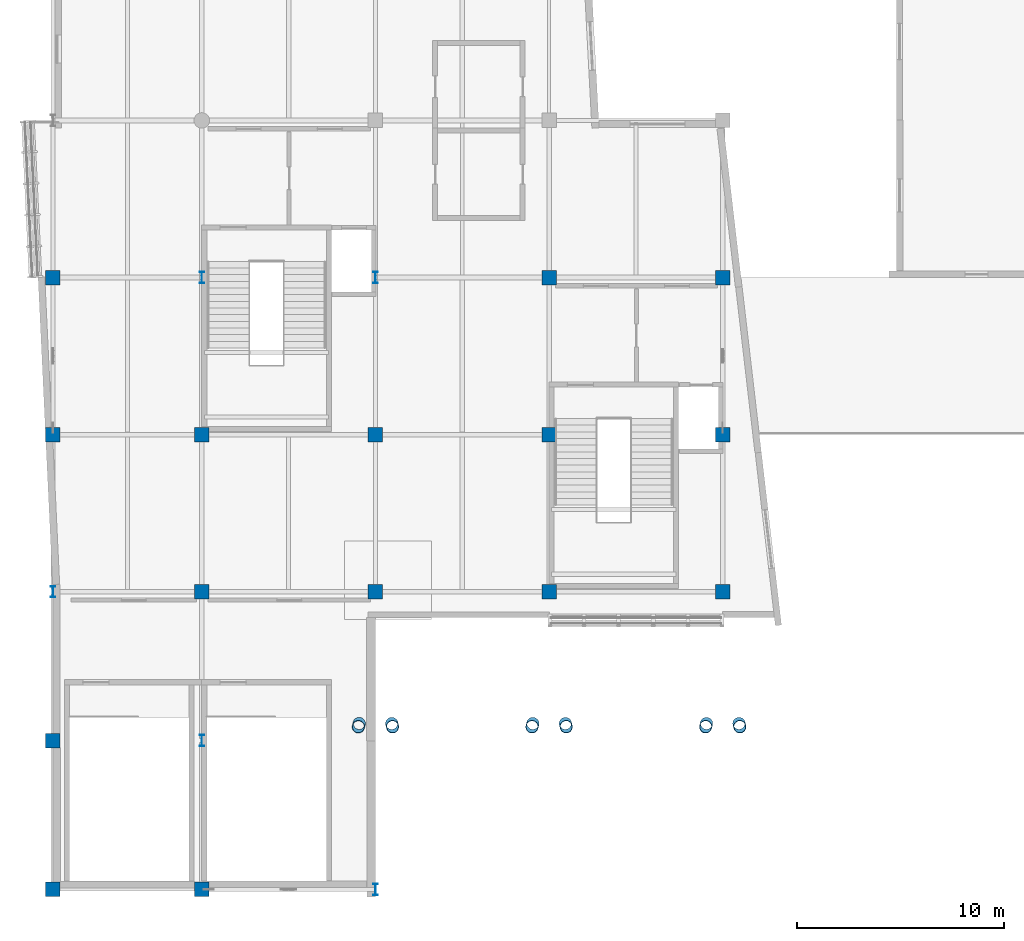
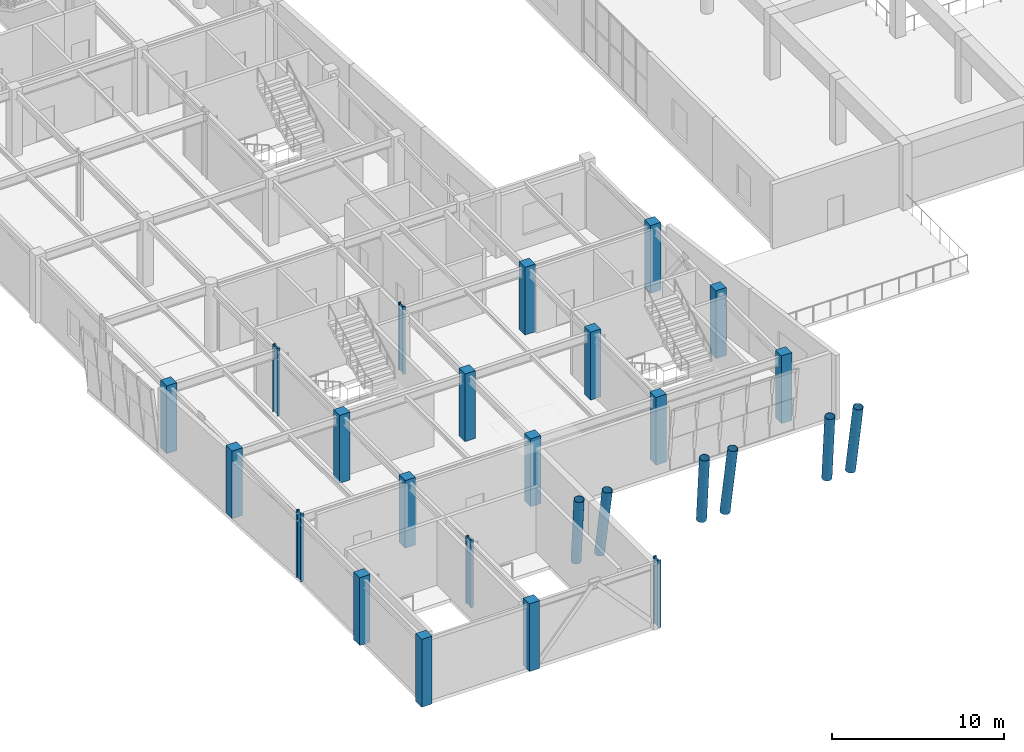
# One storey, part 1 of 72: 26 columns.
"""IFC4 building model written with IfcOpenShell, lengths in metres."""

from ifc_helpers import new_model, si_unit, direction, frame, origin, origin_2d, place, context, subcontext, project, spatial, rectangle, hollow_circle, i_section, extrude, material, material_profile, profile_set, type_object, element, save


model = new_model("IFC4")

# Units and contexts
model_context = context("Model", 3, precision=1e-05, world=origin(), true_north=direction((0.0, 1.0)))
body_context = subcontext(model_context, "Body", "Model", "MODEL_VIEW")
ifc_project = project(units=[si_unit("LENGTHUNIT", "METRE"), si_unit("AREAUNIT", "SQUARE_METRE"), si_unit("VOLUMEUNIT", "CUBIC_METRE"), si_unit("PLANEANGLEUNIT", "RADIAN"), si_unit("MASSUNIT", "GRAM", prefix="KILO")], contexts=[model_context])

# Site, building, storey
site_placement = place(None, origin())
site = spatial("IfcSite", under=ifc_project, at=site_placement, CompositionType="ELEMENT")
building_placement = place(site_placement, origin())
building = spatial("IfcBuilding", under=site, at=building_placement, Name="Xicomal Pleat Aquarium", CompositionType="ELEMENT")
storey_placement = place(building_placement, frame((0.0, 0.0, 10.5)))
storey = spatial("IfcBuildingStorey", under=building, at=storey_placement, Name="L03", CompositionType="ELEMENT", Elevation=10.5)

# Columns
ifc_material_1 = material(Name="Concrete C40/50", Category="concrete")
ifc_material_profile_1 = material_profile(ifc_material_1, rectangle(XDim=0.699951171875, YDim=0.699951171875, at=origin_2d()), Name="RC 700x700")
ifc_profile_set_1 = profile_set([ifc_material_profile_1], Name="Concrete C40/50")
column_type_1 = type_object("IfcColumnType", Name="COL-RC-700x700", PredefinedType="COLUMN", material=ifc_profile_set_1)
for number, where, z_axis, x_axis, name in (
    (1, (3.0, 0.800048828125, 0.0), (0.0, 0.0, 1.0), (1.0, 0.0, 0.0), "L03 column 01/A"),
    (2, (3.0, 8.0, 0.0), (0.0, 0.0, 1.0), (1.0, 0.0, 0.0), "L03 column 01/B"),
    (3, (3.0, 22.800048828125, 0.0), (0.0, 0.0, 1.0), (1.0, 0.0, 0.0), "L03 column 01/D"),
    (4, (3.0, 30.39990234375, 0.0), (0.0, 0.0, 1.0), (1.0, 0.0, 0.0), "L03 column 01/E"),
    (5, (10.199951171875, 0.800048828125, 0.0), (0.0, 0.0, 1.0), (1.0, 0.0, 0.0), "L03 column 02/A"),
    (6, (10.199951171875, 15.199951171875, 0.0), (0.0, 0.0, 1.0), (1.0, 0.0, 0.0), "L03 column 02/C"),
    (7, (10.199951171875, 22.800048828125, 0.0), (0.0, 0.0, 1.0), (1.0, 0.0, 0.0), "L03 column 02/D"),
    (8, (18.60009765625, 15.199951171875, 0.0), (0.0, 0.0, 1.0), (1.0, 0.0, 0.0), "L03 column 03/C"),
    (9, (18.60009765625, 22.800048828125, 0.0), (0.0, 0.0, 1.0), (1.0, 0.0, 0.0), "L03 column 03/D"),
    (10, (27.0, 15.199951171875, 0.0), (0.0, 0.0, 1.0), (1.0, 0.0, 0.0), "L03 column 04/C"),
    (11, (27.0, 22.800048828125, 0.0), (0.0, 0.0, 1.0), (1.0, 0.0, 0.0), "L03 column 04/D"),
    (12, (27.0, 30.39990234375, 0.0), (0.0, 0.0, 1.0), (1.0, 0.0, 0.0), "L03 column 04/E"),
    (13, (35.39990234375, 15.199951171875, 0.0), (0.0, 0.0, 1.0), (1.0, 0.0, 0.0), "L03 column 05/C"),
    (14, (35.39990234375, 22.800048828125, 0.0), (0.0, 0.0, 1.0), (1.0, 0.0, 0.0), "L03 column 05/D"),
    (15, (35.39990234375, 30.39990234375, 0.0), (0.0, 0.0, 1.0), (1.0, 0.0, 0.0), "L03 column 05/E"),
):
    element("IfcColumn", number, at=place(storey_placement, frame(where, z_axis=z_axis, x_axis=x_axis)), inside=storey, type_object=column_type_1, Name=name, PredefinedType="COLUMN", context=body_context, shape_type="SweptSolid", body=[
        extrude(rectangle(XDim=0.699951171875, YDim=0.699951171875, at=origin_2d()), origin(), (0.0, 0.0, 1.0), 4.800048828125),
    ])
ifc_material_2 = material(Name="Structural steel A992 Gr 50", Category="steel")
ifc_material_profile_2 = material_profile(ifc_material_2, i_section(OverallWidth=0.2119140625, OverallDepth=0.5439453125, WebThickness=0.01318359375, FlangeThickness=0.021240234375, at=origin_2d()), Name="IR 530x123")
ifc_profile_set_2 = profile_set([ifc_material_profile_2], Name="Structural steel A992 Gr 50")
column_type_2 = type_object("IfcColumnType", Name="COL-STL-IR530", PredefinedType="COLUMN", material=ifc_profile_set_2)
for number, where, z_axis, x_axis, name in (
    (16, (3.0, 15.199951171875, 0.0), (0.0, 0.0, 1.0), (1.0, 0.0, 0.0), "L03 column 01/C"),
    (17, (10.199951171875, 8.0, 0.0), (0.0, 0.0, 1.0), (1.0, 0.0, 0.0), "L03 column 02/B"),
    (18, (10.199951171875, 30.39990234375, 0.0), (0.0, 0.0, 1.0), (1.0, 0.0, 0.0), "L03 column 02/E"),
    (19, (18.60009765625, 0.800048828125, 0.0), (0.0, 0.0, 1.0), (1.0, 0.0, 0.0), "L03 column 03/A"),
    (20, (18.60009765625, 30.39990234375, 0.0), (0.0, 0.0, 1.0), (1.0, 0.0, 0.0), "L03 column 03/E"),
):
    element("IfcColumn", number, at=place(storey_placement, frame(where, z_axis=z_axis, x_axis=x_axis)), inside=storey, type_object=column_type_2, Name=name, PredefinedType="COLUMN", context=body_context, shape_type="SweptSolid", body=[
        extrude(i_section(OverallWidth=0.2119140625, OverallDepth=0.5439453125, WebThickness=0.01318359375, FlangeThickness=0.021240234375, at=origin_2d()), origin(), (0.0, 0.0, 1.0), 4.800048828125),
    ])
ifc_material_3 = material(Name="Architectural steel ASTM A572 Gr 50", Category="steel")
ifc_material_profile_3 = material_profile(ifc_material_3, hollow_circle(Radius=0.304931640625, WallThickness=0.02392578125, at=origin_2d()), Name="OC 610x24")
ifc_profile_set_3 = profile_set([ifc_material_profile_3], Name="Architectural steel ASTM A572 Gr 50")
column_type_3 = type_object("IfcColumnType", Name="COL-STL-OC610", PredefinedType="COLUMN", material=ifc_profile_set_3)
for number, where, z_axis, x_axis, name in (
    (21, (17.81201171875, 8.821044921875, 0.006103515625), (-0.032893165756, -0.130612647433, 0.990887670716), (0.969721783, -0.244212332972, 0.0), "L03 entrance pavilion splayed steel column 03W"),
    (22, (19.387939453125, 8.821044921875, 0.006103515625), (0.032943638098, -0.130612430189, 0.990886022603), (0.969632888466, 0.244565045756, 0.0), "L03 entrance pavilion splayed steel column 03E"),
    (23, (26.2119140625, 8.821044921875, 0.006103515625), (-0.032893165756, -0.130612647433, 0.990887670716), (0.969721783, -0.244212332972, 0.0), "L03 entrance pavilion splayed steel column 04W"),
    (24, (27.7880859375, 8.821044921875, 0.006103515625), (0.032893165756, -0.130612647433, 0.990887670716), (0.969721783, 0.244212332972, 0.0), "L03 entrance pavilion splayed steel column 04E"),
    (25, (34.612060546875, 8.821044921875, 0.006103515625), (-0.032943638098, -0.130612430189, 0.990886022603), (0.969632888466, -0.244565045756, 0.0), "L03 entrance pavilion splayed steel column 05W"),
    (26, (36.18798828125, 8.821044921875, 0.006103515625), (0.032893165756, -0.130612647433, 0.990887670716), (0.969721783, 0.244212332972, 0.0), "L03 entrance pavilion splayed steel column 05E"),
):
    element("IfcColumn", number, at=place(storey_placement, frame(where, z_axis=z_axis, x_axis=x_axis)), inside=storey, type_object=column_type_3, Name=name, PredefinedType="COLUMN", context=body_context, shape_type="SweptSolid", body=[
        extrude(hollow_circle(Radius=0.304931640625, WallThickness=0.02392578125, at=origin_2d()), origin(), (0.0, 0.0, 1.0), 4.831787109375),
    ])

save(model, "model.ifc")
